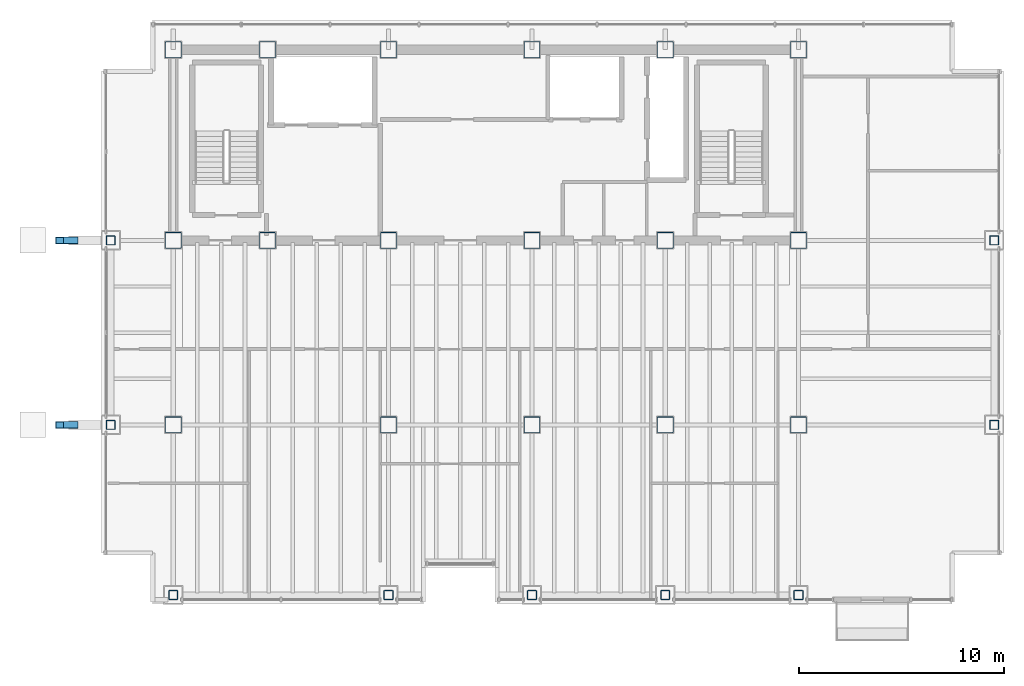
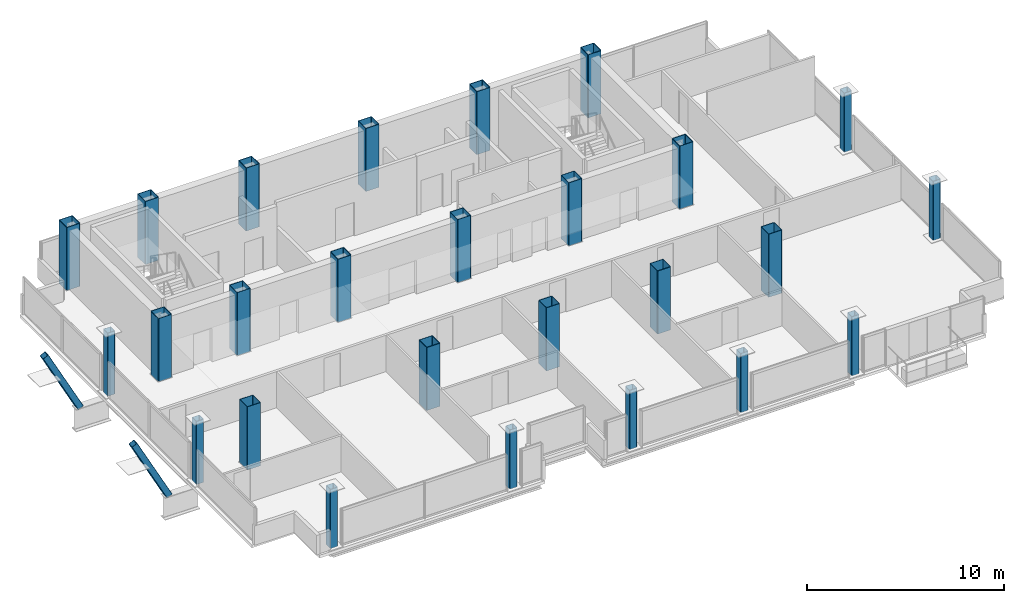
# One storey, part 1 of 17: 28 columns.
"""IFC4 building model written with IfcOpenShell, lengths in metres."""

from ifc_helpers import new_model, si_unit, direction, frame, origin, origin_2d, place, context, subcontext, project, spatial, hollow_rectangle, extrude, material, material_profile, profile_set, type_object, element, save


model = new_model("IFC4")

# Units and contexts
model_context = context("Model", 3, precision=1e-05, world=origin(), true_north=direction((0.0, 1.0)))
body_context = subcontext(model_context, "Body", "Model", "MODEL_VIEW")
ifc_project = project(units=[si_unit("LENGTHUNIT", "METRE"), si_unit("AREAUNIT", "SQUARE_METRE"), si_unit("VOLUMEUNIT", "CUBIC_METRE"), si_unit("PLANEANGLEUNIT", "RADIAN"), si_unit("MASSUNIT", "GRAM", prefix="KILO")], contexts=[model_context])

# Site, building, storey
site_placement = place(None, origin())
site = spatial("IfcSite", under=ifc_project, at=site_placement, CompositionType="ELEMENT")
building_placement = place(site_placement, origin())
building = spatial("IfcBuilding", under=site, at=building_placement, Name="Noeulbin Bourse Tower", CompositionType="ELEMENT")
storey_placement = place(building_placement, frame((0.0, 0.0, 226.699951171875)))
storey = spatial("IfcBuildingStorey", under=building, at=storey_placement, Name="L56", CompositionType="ELEMENT", Elevation=226.699951171875)

# Columns
ifc_material = material(Name="Steel S355", Category="steel")
ifc_material_profile_1 = material_profile(ifc_material, hollow_rectangle(XDim=0.35009765625, YDim=0.35009765625, WallThickness=0.01611328125, InnerFilletRadius=0.01611328125, OuterFilletRadius=0.031982421875, at=origin_2d()), Name="SHS-350x350x16", Category="LoadBearing")
ifc_profile_set_1 = profile_set([ifc_material_profile_1], Name="Steel S355")
column_type_1 = type_object("IfcColumnType", Name="COL-CRN-Z5", PredefinedType="COLUMN", material=ifc_profile_set_1)
for number, where, z_axis, x_axis, name in (
    (1, (8.699951171875, 20.0, -0.199951171875), (-0.469042229226, 0.0, 0.883175739704), (0.0, -1.0, 0.0), "Exoskeleton Raking Prop Column L56-01"),
    (2, (8.699951171875, 29.0, -0.199951171875), (-0.469042229226, 0.0, 0.883175739704), (0.0, -1.0, 0.0), "Exoskeleton Raking Prop Column L56-02"),
):
    element("IfcColumn", number, at=place(storey_placement, frame(where, z_axis=z_axis, x_axis=x_axis)), inside=storey, type_object=column_type_1, Name=name, PredefinedType="COLUMN", context=body_context, shape_type="SweptSolid", body=[
        extrude(hollow_rectangle(XDim=0.35009765625, YDim=0.35009765625, WallThickness=0.01611328125, InnerFilletRadius=0.01611328125, OuterFilletRadius=0.031982421875, at=origin_2d()), origin(), (0.0, 0.0, 1.0), 4.37060546875),
    ])
ifc_material_profile_2 = material_profile(ifc_material, hollow_rectangle(XDim=0.449951171875, YDim=0.449951171875, WallThickness=0.02197265625, InnerFilletRadius=0.02197265625, OuterFilletRadius=0.0439453125, at=origin_2d()), Name="SHS-450x450x22", Category="LoadBearing")
ifc_profile_set_2 = profile_set([ifc_material_profile_2], Name="Steel S355")
column_type_2 = type_object("IfcColumnType", Name="COL-PER-Z3", PredefinedType="COLUMN", material=ifc_profile_set_2)
for number, where, z_axis, x_axis, name in (
    (3, (10.449951171875, 20.0, 0.0), (0.0, 0.0, 1.0), (1.0, 0.0, 0.0), "Tower Perimeter Column COL-PER-Z3 01"),
    (4, (10.449951171875, 29.0, 0.0), (0.0, 0.0, 1.0), (1.0, 0.0, 0.0), "Tower Perimeter Column COL-PER-Z3 02"),
):
    element("IfcColumn", number, at=place(storey_placement, frame(where, z_axis=z_axis, x_axis=x_axis)), inside=storey, type_object=column_type_2, Name=name, PredefinedType="COLUMN", context=body_context, shape_type="SweptSolid", body=[
        extrude(hollow_rectangle(XDim=0.449951171875, YDim=0.449951171875, WallThickness=0.02197265625, InnerFilletRadius=0.02197265625, OuterFilletRadius=0.0439453125, at=origin_2d()), origin(), (0.0, 0.0, 1.0), 3.900146484375),
    ])
for number, where, z_axis, x_axis, name in (
    (5, (13.5, 11.699951171875, 0.0), (0.0, 0.0, 1.0), (1.0, 0.0, 0.0), "Tower Perimeter Column COL-PER-Z3 03"),
    (6, (24.0, 11.699951171875, 0.0), (0.0, 0.0, 1.0), (1.0, 0.0, 0.0), "Tower Perimeter Column COL-PER-Z3 04"),
    (7, (31.0, 11.699951171875, 0.0), (0.0, 0.0, 1.0), (1.0, 0.0, 0.0), "Tower Perimeter Column COL-PER-Z3 05"),
    (8, (37.5, 11.699951171875, 0.0), (0.0, 0.0, 1.0), (1.0, 0.0, 0.0), "Tower Perimeter Column COL-PER-Z3 06"),
    (9, (44.0, 11.699951171875, 0.0), (0.0, 0.0, 1.0), (1.0, 0.0, 0.0), "Tower Perimeter Column COL-PER-Z3 07"),
    (10, (53.550048828125, 20.0, 0.0), (0.0, 0.0, 1.0), (1.0, 0.0, 0.0), "Tower Perimeter Column COL-PER-Z3 08"),
    (11, (53.550048828125, 29.0, 0.0), (0.0, 0.0, 1.0), (1.0, 0.0, 0.0), "Tower Perimeter Column COL-PER-Z3 09"),
):
    element("IfcColumn", number, at=place(storey_placement, frame(where, z_axis=z_axis, x_axis=x_axis)), inside=storey, type_object=column_type_2, Name=name, PredefinedType="COLUMN", context=body_context, shape_type="SweptSolid", body=[
        extrude(hollow_rectangle(XDim=0.449951171875, YDim=0.449951171875, WallThickness=0.02197265625, InnerFilletRadius=0.02197265625, OuterFilletRadius=0.0439453125, at=origin_2d()), origin(), (0.0, 0.0, 1.0), 3.66015625),
    ])
ifc_material_profile_3 = material_profile(ifc_material, hollow_rectangle(XDim=0.800048828125, YDim=0.800048828125, WallThickness=0.031982421875, InnerFilletRadius=0.01611328125, OuterFilletRadius=0.048095703125, at=origin_2d()), Name="BOX-800x800x32", Category="LoadBearing")
ifc_profile_set_3 = profile_set([ifc_material_profile_3], Name="Steel S355")
column_type_3 = type_object("IfcColumnType", Name="COL-TRK-Z3", PredefinedType="COLUMN", material=ifc_profile_set_3)
for number, where, z_axis, x_axis, name in (
    (12, (13.5, 29.0, 0.0), (0.0, 0.0, 1.0), (1.0, 0.0, 0.0), "Tower Trunk Mega-Column COL-TRK-Z3 01"),
    (13, (13.5, 38.300048828125, 0.0), (0.0, 0.0, 1.0), (1.0, 0.0, 0.0), "Tower Trunk Mega-Column COL-TRK-Z3 02"),
    (14, (18.10009765625, 29.0, 0.0), (0.0, 0.0, 1.0), (1.0, 0.0, 0.0), "Tower Trunk Mega-Column COL-TRK-Z3 03"),
    (15, (18.10009765625, 38.300048828125, 0.0), (0.0, 0.0, 1.0), (1.0, 0.0, 0.0), "Tower Trunk Mega-Column COL-TRK-Z3 04"),
    (16, (24.0, 29.0, 0.0), (0.0, 0.0, 1.0), (1.0, 0.0, 0.0), "Tower Trunk Mega-Column COL-TRK-Z3 05"),
    (17, (24.0, 38.300048828125, 0.0), (0.0, 0.0, 1.0), (1.0, 0.0, 0.0), "Tower Trunk Mega-Column COL-TRK-Z3 06"),
    (18, (31.0, 29.0, 0.0), (0.0, 0.0, 1.0), (1.0, 0.0, 0.0), "Tower Trunk Mega-Column COL-TRK-Z3 07"),
    (19, (31.0, 38.300048828125, 0.0), (0.0, 0.0, 1.0), (1.0, 0.0, 0.0), "Tower Trunk Mega-Column COL-TRK-Z3 08"),
    (20, (37.5, 29.0, 0.0), (0.0, 0.0, 1.0), (1.0, 0.0, 0.0), "Tower Trunk Mega-Column COL-TRK-Z3 09"),
    (21, (37.5, 38.300048828125, 0.0), (0.0, 0.0, 1.0), (1.0, 0.0, 0.0), "Tower Trunk Mega-Column COL-TRK-Z3 10"),
    (22, (44.0, 29.0, 0.0), (0.0, 0.0, 1.0), (1.0, 0.0, 0.0), "Tower Trunk Mega-Column COL-TRK-Z3 11"),
    (23, (44.0, 38.300048828125, 0.0), (0.0, 0.0, 1.0), (1.0, 0.0, 0.0), "Tower Trunk Mega-Column COL-TRK-Z3 12"),
    (24, (13.5, 20.0, 0.0), (0.0, 0.0, 1.0), (1.0, 0.0, 0.0), "Tower Trunk Mega-Column COL-TRK-Z3 13"),
    (25, (24.0, 20.0, 0.0), (0.0, 0.0, 1.0), (1.0, 0.0, 0.0), "Tower Trunk Mega-Column COL-TRK-Z3 14"),
    (26, (31.0, 20.0, 0.0), (0.0, 0.0, 1.0), (1.0, 0.0, 0.0), "Tower Trunk Mega-Column COL-TRK-Z3 15"),
    (27, (37.5, 20.0, 0.0), (0.0, 0.0, 1.0), (1.0, 0.0, 0.0), "Tower Trunk Mega-Column COL-TRK-Z3 16"),
    (28, (44.0, 20.0, 0.0), (0.0, 0.0, 1.0), (1.0, 0.0, 0.0), "Tower Trunk Mega-Column COL-TRK-Z3 17"),
):
    element("IfcColumn", number, at=place(storey_placement, frame(where, z_axis=z_axis, x_axis=x_axis)), inside=storey, type_object=column_type_3, Name=name, PredefinedType="COLUMN", context=body_context, shape_type="SweptSolid", body=[
        extrude(hollow_rectangle(XDim=0.800048828125, YDim=0.800048828125, WallThickness=0.031982421875, InnerFilletRadius=0.01611328125, OuterFilletRadius=0.048095703125, at=origin_2d()), origin(), (0.0, 0.0, 1.0), 3.900146484375),
    ])

save(model, "model.ifc")
